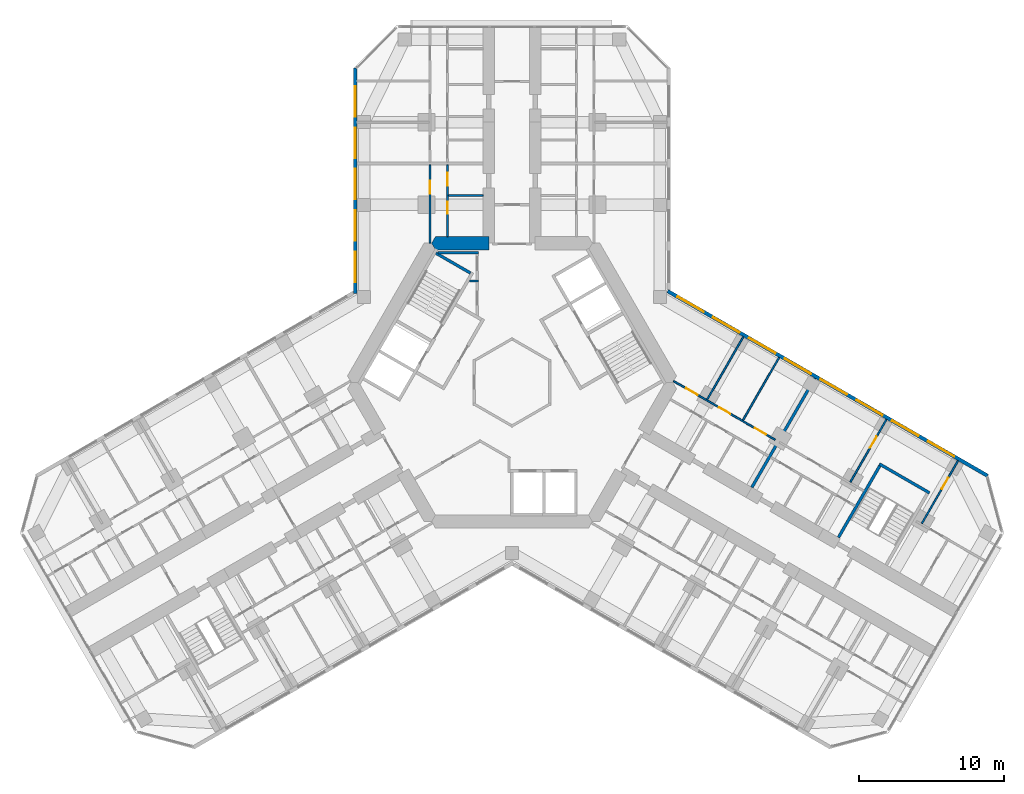
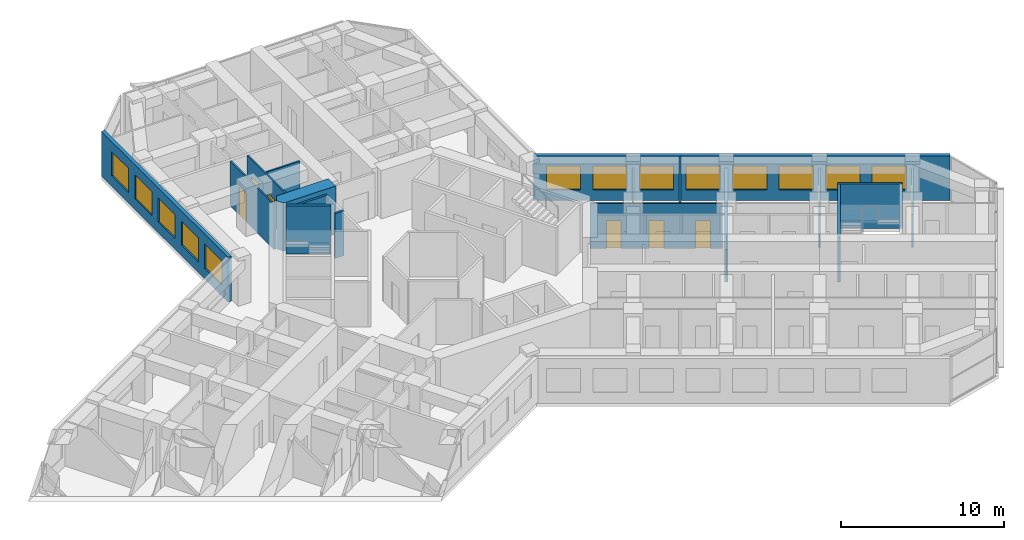
# One storey, part 16 of 19: 17 walls, 13 windows, 8 doors, 21 openings.
"""IFC4 building model written with IfcOpenShell, lengths in metres."""

from ifc_helpers import new_model, si_unit, direction, frame, frame_2d, origin, place, context, subcontext, project, spatial, polyline, rectangle, outline, extrude, material, layer, layer_set, type_object, element, fill, save


model = new_model("IFC4")

# Units and contexts
model_context = context("Model", 3, precision=1e-05, world=origin(), true_north=direction((0.0, 1.0)))
body_context = subcontext(model_context, "Body", "Model", "MODEL_VIEW")
ifc_project = project(units=[si_unit("LENGTHUNIT", "METRE"), si_unit("AREAUNIT", "SQUARE_METRE"), si_unit("VOLUMEUNIT", "CUBIC_METRE"), si_unit("PLANEANGLEUNIT", "RADIAN"), si_unit("MASSUNIT", "GRAM", prefix="KILO")], contexts=[model_context])

# Site, building, storey
site_placement = place(None, origin())
site = spatial("IfcSite", under=ifc_project, at=site_placement, CompositionType="ELEMENT")
building_placement = place(site_placement, origin())
building = spatial("IfcBuilding", under=site, at=building_placement, Name="Kosmar Iwan School Tower", CompositionType="ELEMENT")
storey_placement = place(building_placement, frame((0.0, 0.0, 168.800048828125)))
storey = spatial("IfcBuildingStorey", under=building, at=storey_placement, Name="L42", CompositionType="ELEMENT", Elevation=168.800048828125)

# Walls
ifc_material_1 = material(Name="Gypsum board on steel studs, fire-rated", Category="steel")
ifc_layer_1 = layer(ifc_material_1, 0.14990234375)
ifc_layer_set_1 = layer_set([ifc_layer_1], Name="Core room partition 150")
wall_type_1 = type_object("IfcWallType", Name="Core room partition 150", PredefinedType="PARTITIONING", material=ifc_layer_set_1)
wall_1_placement = place(storey_placement, frame((-2.324951171875, 6.985107421875, 0.0), z_axis=(0.0, 0.0, 1.0), x_axis=(-1.0, 0.0, 0.0)))
element("IfcWall", 1, at=wall_1_placement, inside=storey, type_object=wall_type_1, Name="Core room partition L42-CW2", PredefinedType="PARTITIONING", context=body_context, shape_type="SweptSolid", body=[
    extrude(rectangle(XDim=0.623779296875, YDim=0.14990234375, at=frame_2d((0.31201171875, 0.0))), origin(), (0.0, 0.0, 1.0), 3.349853515625),
])
wall_2_placement = place(storey_placement, frame((-5.089599609375, 8.93994140625, 0.0), z_axis=(0.0, 0.0, 1.0), x_axis=(1.0, 0.0, 0.0)))
element("IfcWall", 2, at=wall_2_placement, inside=storey, type_object=wall_type_1, Name="Core room partition L42-CW3", PredefinedType="PARTITIONING", context=body_context, shape_type="SweptSolid", body=[
    extrude(rectangle(XDim=2.7646484375, YDim=0.14990234375, at=frame_2d((1.38232421875, 0.0))), origin(), (0.0, 0.0, 1.0), 3.349853515625),
])
ifc_material_2 = material(Name="Concrete C50/60", Category="concrete")
ifc_layer_2 = layer(ifc_material_2, 0.89990234375)
ifc_layer_set_2 = layer_set([ifc_layer_2], Name="Core wall 900")
wall_type_2 = type_object("IfcWallType", Name="Core wall 900", PredefinedType="SHEAR", material=ifc_layer_set_2)
wall_3_placement = place(storey_placement, origin())
element("IfcWall", 3, at=wall_3_placement, inside=storey, type_object=wall_type_2, Name="Core wall F090b", PredefinedType="SHEAR", context=body_context, shape_type="SweptSolid", body=[
    extrude(outline(polyline([(-5.28271484375, 9.14990234375), (-1.60009765625, 9.14990234375), (-1.60009765625, 10.050048828125), (-5.28271484375, 10.050048828125), (-5.54248046875, 9.60009765625), (-5.28271484375, 9.14990234375)])), origin(), (0.0, 0.0, 1.0), 3.599853515625),
])

# Wall, openings, doors
ifc_material_3 = material(Name="Gypsum board on steel studs", Category="steel")
ifc_layer_3 = layer(ifc_material_3, 0.1201171875)
ifc_layer_set_3 = layer_set([ifc_layer_3], Name="Dwelling partition 120")
wall_type_3 = type_object("IfcWallType", Name="Dwelling partition 120", PredefinedType="PARTITIONING", material=ifc_layer_set_3)
wall_4_placement = place(storey_placement, frame((-4.449951171875, 10.050048828125, 0.0), z_axis=(0.0, 0.0, 1.0), x_axis=(0.0, 1.0, 0.0)))
wall_4 = element("IfcWall", 4, at=wall_4_placement, inside=storey, type_object=wall_type_3, Name="Partition L42-AL1-W1", PredefinedType="PARTITIONING", context=body_context, shape_type="SweptSolid", body=[
    extrude(rectangle(XDim=4.949951171875, YDim=0.1201171875, at=frame_2d((2.47509765625, 0.0))), origin(), (0.0, 0.0, 1.0), 3.349853515625),
])
opening_1_placement = place(wall_4_placement, frame((1.60009765625, 0.0, 0.0)))
opening_1 = element("IfcOpeningElement", 5, at=opening_1_placement, cuts=wall_4, Name="Opening D3", PredefinedType="OPENING", context=body_context, shape_type="SweptSolid", body=[
    extrude(rectangle(XDim=0.800048828125, YDim=2.10009765625, at=frame_2d((0.39990234375, 1.050048828125))), frame((0.0, 0.072021484375, 0.0), z_axis=(0.0, -1.0, 0.0), x_axis=(1.0, 0.0, 0.0)), (0.0, 0.0, 1.0), 0.14404296875),
])
opening_2_placement = place(wall_4_placement, frame((3.5, 0.0, 0.0)))
opening_2 = element("IfcOpeningElement", 6, at=opening_2_placement, cuts=wall_4, Name="Opening D2", PredefinedType="OPENING", context=body_context, shape_type="SweptSolid", body=[
    extrude(rectangle(XDim=0.89990234375, YDim=2.10009765625, at=frame_2d((0.449951171875, 1.050048828125))), frame((0.0, 0.072021484375, 0.0), z_axis=(0.0, -1.0, 0.0), x_axis=(1.0, 0.0, 0.0)), (0.0, 0.0, 1.0), 0.14404296875),
])
ifc_material_4 = material(Name="Timber door in timber frame", Category="wood")
door_type_1 = type_object("IfcDoorType", Name="Internal door 900x2100", OperationType="SINGLE_SWING_LEFT", PredefinedType="DOOR", material=ifc_material_4)
door_1_placement = place(opening_2_placement, origin())
door_1 = element("IfcDoor", 7, at=door_1_placement, inside=storey, type_object=door_type_1, Name="Entrance hall door L42-AL1-S2", OperationType="SINGLE_SWING_RIGHT", OverallHeight=2.10009765625, OverallWidth=0.89990234375, PredefinedType="DOOR", context=body_context, shape_type="SweptSolid", body=[
    extrude(rectangle(XDim=0.89990234375, YDim=2.10009765625, at=frame_2d((0.449951171875, 1.050048828125))), frame((0.0, 0.02490234375, 0.0), z_axis=(0.0, -1.0, 0.0), x_axis=(1.0, 0.0, 0.0)), (0.0, 0.0, 1.0), 0.050048828125),
])
fill(opening_2, door_1)
ifc_material_5 = material(Name="Timber door in timber frame", Category="wood")
door_type_2 = type_object("IfcDoorType", Name="Sanitary room door 800x2100", OperationType="SINGLE_SWING_LEFT", PredefinedType="DOOR", material=ifc_material_5)
door_2_placement = place(opening_1_placement, origin())
door_2 = element("IfcDoor", 8, at=door_2_placement, inside=storey, type_object=door_type_2, Name="Bathroom door L42-AL1-S1", OperationType="SINGLE_SWING_LEFT", OverallHeight=2.10009765625, OverallWidth=0.800048828125, PredefinedType="DOOR", context=body_context, shape_type="SweptSolid", body=[
    extrude(rectangle(XDim=0.800048828125, YDim=2.10009765625, at=frame_2d((0.39990234375, 1.050048828125))), frame((0.0, 0.02490234375, 0.0), z_axis=(0.0, -1.0, 0.0), x_axis=(1.0, 0.0, 0.0)), (0.0, 0.0, 1.0), 0.050048828125),
])
fill(opening_1, door_2)

# Wall, opening, door
wall_5_placement = place(storey_placement, frame((-5.64990234375, 9.60009765625, 0.0), z_axis=(0.0, 0.0, 1.0), x_axis=(0.0, 1.0, 0.0)))
wall_5 = element("IfcWall", 9, at=wall_5_placement, inside=storey, type_object=wall_type_3, Name="Partition L42-AL1-W2", PredefinedType="PARTITIONING", context=body_context, shape_type="SweptSolid", body=[
    extrude(rectangle(XDim=5.39990234375, YDim=0.1201171875, at=frame_2d((2.699951171875, 0.0))), origin(), (0.0, 0.0, 1.0), 3.349853515625),
])
opening_3_placement = place(wall_5_placement, frame((3.39990234375, 0.0, 0.0)))
opening_3 = element("IfcOpeningElement", 10, at=opening_3_placement, cuts=wall_5, Name="Opening D2", PredefinedType="OPENING", context=body_context, shape_type="SweptSolid", body=[
    extrude(rectangle(XDim=0.89990234375, YDim=2.10009765625, at=frame_2d((0.449951171875, 1.050048828125))), frame((0.0, 0.072021484375, 0.0), z_axis=(0.0, -1.0, 0.0), x_axis=(1.0, 0.0, 0.0)), (0.0, 0.0, 1.0), 0.14404296875),
])
door_3_placement = place(opening_3_placement, origin())
door_3 = element("IfcDoor", 11, at=door_3_placement, inside=storey, type_object=door_type_1, Name="Studio living room and kitchen door L42-AL1-F1", OperationType="SINGLE_SWING_RIGHT", OverallHeight=2.10009765625, OverallWidth=0.89990234375, PredefinedType="DOOR", context=body_context, shape_type="SweptSolid", body=[
    extrude(rectangle(XDim=0.89990234375, YDim=2.10009765625, at=frame_2d((0.449951171875, 1.050048828125))), frame((0.0, 0.02490234375, 0.0), z_axis=(0.0, -1.0, 0.0), x_axis=(1.0, 0.0, 0.0)), (0.0, 0.0, 1.0), 0.050048828125),
])
fill(opening_3, door_3)

# Wall
wall_6_placement = place(storey_placement, frame((-2.0, 12.89990234375, 0.0), z_axis=(0.0, 0.0, 1.0), x_axis=(-1.0, 0.0, 0.0)))
element("IfcWall", 12, at=wall_6_placement, inside=storey, type_object=wall_type_3, Name="Partition L42-AL1-Y1", PredefinedType="PARTITIONING", context=body_context, shape_type="SweptSolid", body=[
    extrude(rectangle(XDim=2.389892578125, YDim=0.1201171875, at=frame_2d((1.19482421875, 0.0))), origin(), (0.0, 0.0, 1.0), 3.349853515625),
])

# Wall, openings, doors
wall_7_placement = place(storey_placement, frame((11.138916015625, 0.093017578125, 0.0), z_axis=(0.0, 0.0, 1.0), x_axis=(0.866017937352, -0.500012932018, 0.0)))
wall_7 = element("IfcWall", 13, at=wall_7_placement, inside=storey, type_object=wall_type_3, Name="Partition L42-CL1-W2", PredefinedType="PARTITIONING", context=body_context, shape_type="SweptSolid", body=[
    extrude(rectangle(XDim=8.099853515625, YDim=0.1201171875, at=frame_2d((4.0498046875, 0.0))), origin(), (0.0, 0.0, 1.0), 3.349853515625),
])
opening_4_placement = place(wall_7_placement, frame((1.0, 0.0, 0.0)))
opening_4 = element("IfcOpeningElement", 14, at=opening_4_placement, cuts=wall_7, Name="Opening D2", PredefinedType="OPENING", context=body_context, shape_type="SweptSolid", body=[
    extrude(rectangle(XDim=0.89990234375, YDim=2.10009765625, at=frame_2d((0.449951171875, 1.050048828125))), frame((0.0, 0.072021484375, 0.0), z_axis=(0.0, -1.0, 0.0), x_axis=(1.0, 0.0, 0.0)), (0.0, 0.0, 1.0), 0.14404296875),
])
opening_5_placement = place(wall_7_placement, frame((3.625, 0.0, 0.0)))
opening_5 = element("IfcOpeningElement", 15, at=opening_5_placement, cuts=wall_7, Name="Opening D2", PredefinedType="OPENING", context=body_context, shape_type="SweptSolid", body=[
    extrude(rectangle(XDim=0.89990234375, YDim=2.10009765625, at=frame_2d((0.449951171875, 1.050048828125))), frame((0.0, 0.072021484375, 0.0), z_axis=(0.0, -1.0, 0.0), x_axis=(1.0, 0.0, 0.0)), (0.0, 0.0, 1.0), 0.14404296875),
])
opening_6_placement = place(wall_7_placement, frame((6.47509765625, 0.0, 0.0)))
opening_6 = element("IfcOpeningElement", 16, at=opening_6_placement, cuts=wall_7, Name="Opening D2", PredefinedType="OPENING", context=body_context, shape_type="SweptSolid", body=[
    extrude(rectangle(XDim=0.89990234375, YDim=2.10009765625, at=frame_2d((0.449951171875, 1.050048828125))), frame((0.0, 0.072021484375, 0.0), z_axis=(0.0, -1.0, 0.0), x_axis=(1.0, 0.0, 0.0)), (0.0, 0.0, 1.0), 0.14404296875),
])
door_4_placement = place(opening_4_placement, origin())
door_4 = element("IfcDoor", 17, at=door_4_placement, inside=storey, type_object=door_type_1, Name="Family room and kitchen door L42-CL1-F1", OperationType="SINGLE_SWING_LEFT", OverallHeight=2.10009765625, OverallWidth=0.89990234375, PredefinedType="DOOR", context=body_context, shape_type="SweptSolid", body=[
    extrude(rectangle(XDim=0.89990234375, YDim=2.10009765625, at=frame_2d((0.449951171875, 1.050048828125))), frame((0.0, 0.02490234375, 0.0), z_axis=(0.0, -1.0, 0.0), x_axis=(1.0, 0.0, 0.0)), (0.0, 0.0, 1.0), 0.050048828125),
])
fill(opening_4, door_4)
door_5_placement = place(opening_5_placement, origin())
door_5 = element("IfcDoor", 18, at=door_5_placement, inside=storey, type_object=door_type_1, Name="Study door L42-CL1-F2", OperationType="SINGLE_SWING_RIGHT", OverallHeight=2.10009765625, OverallWidth=0.89990234375, PredefinedType="DOOR", context=body_context, shape_type="SweptSolid", body=[
    extrude(rectangle(XDim=0.89990234375, YDim=2.10009765625, at=frame_2d((0.449951171875, 1.050048828125))), frame((0.0, 0.02490234375, 0.0), z_axis=(0.0, -1.0, 0.0), x_axis=(1.0, 0.0, 0.0)), (0.0, 0.0, 1.0), 0.050048828125),
])
fill(opening_5, door_5)
door_6_placement = place(opening_6_placement, origin())
door_6 = element("IfcDoor", 19, at=door_6_placement, inside=storey, type_object=door_type_1, Name="Bedroom 1 door L42-CL1-F3", OperationType="SINGLE_SWING_RIGHT", OverallHeight=2.10009765625, OverallWidth=0.89990234375, PredefinedType="DOOR", context=body_context, shape_type="SweptSolid", body=[
    extrude(rectangle(XDim=0.89990234375, YDim=2.10009765625, at=frame_2d((0.449951171875, 1.050048828125))), frame((0.0, 0.02490234375, 0.0), z_axis=(0.0, -1.0, 0.0), x_axis=(1.0, 0.0, 0.0)), (0.0, 0.0, 1.0), 0.050048828125),
])
fill(opening_6, door_6)

# Walls
wall_8_placement = place(storey_placement, frame((13.4638671875, -1.179931640625, 0.0), z_axis=(0.0, 0.0, 1.0), x_axis=(0.499975153383, 0.86603974851, 0.0)))
element("IfcWall", 20, at=wall_8_placement, inside=storey, type_object=wall_type_3, Name="Partition L42-CL1-X1", PredefinedType="PARTITIONING", context=body_context, shape_type="SweptSolid", body=[
    extrude(rectangle(XDim=4.989990234375, YDim=0.1201171875, at=frame_2d((2.4951171875, 0.0))), origin(), (0.0, 0.0, 1.0), 2.449951171875),
])
wall_9_placement = place(storey_placement, frame((15.931884765625, -2.60498046875, 0.0), z_axis=(0.0, 0.0, 1.0), x_axis=(0.500011847778, 0.866018563358, 0.0)))
element("IfcWall", 21, at=wall_9_placement, inside=storey, type_object=wall_type_3, Name="Partition L42-CL1-X2", PredefinedType="PARTITIONING", context=body_context, shape_type="SweptSolid", body=[
    extrude(rectangle(XDim=4.990234375, YDim=0.1201171875, at=frame_2d((2.4951171875, 0.0))), origin(), (0.0, 0.0, 1.0), 3.349853515625),
])

# Wall, opening, door
wall_10_placement = place(storey_placement, frame((23.33642578125, -6.8798828125, 0.0), z_axis=(0.0, 0.0, 1.0), x_axis=(0.500033033937, 0.866006330792, 0.0)))
wall_10 = element("IfcWall", 22, at=wall_10_placement, inside=storey, type_object=wall_type_3, Name="Partition L42-CL2-TB", PredefinedType="PARTITIONING", context=body_context, shape_type="SweptSolid", body=[
    extrude(rectangle(XDim=4.989990234375, YDim=0.1201171875, at=frame_2d((2.4951171875, 0.0))), origin(), (0.0, 0.0, 1.0), 2.449951171875),
])
opening_7_placement = place(wall_10_placement, frame((2.739990234375, 0.0, 0.0)))
opening_7 = element("IfcOpeningElement", 23, at=opening_7_placement, cuts=wall_10, Name="Opening D2", PredefinedType="OPENING", context=body_context, shape_type="SweptSolid", body=[
    extrude(rectangle(XDim=0.89990234375, YDim=2.10009765625, at=frame_2d((0.449951171875, 1.050048828125))), frame((0.0, 0.072021484375, 0.0), z_axis=(0.0, -1.0, 0.0), x_axis=(1.0, 0.0, 0.0)), (0.0, 0.0, 1.0), 0.14404296875),
])
door_7_placement = place(opening_7_placement, origin())
door_7 = element("IfcDoor", 24, at=door_7_placement, inside=storey, type_object=door_type_1, Name="Study door L42-CL2-F1", OperationType="SINGLE_SWING_RIGHT", OverallHeight=2.10009765625, OverallWidth=0.89990234375, PredefinedType="DOOR", context=body_context, shape_type="SweptSolid", body=[
    extrude(rectangle(XDim=0.89990234375, YDim=2.10009765625, at=frame_2d((0.449951171875, 1.050048828125))), frame((0.0, 0.02490234375, 0.0), z_axis=(0.0, -1.0, 0.0), x_axis=(1.0, 0.0, 0.0)), (0.0, 0.0, 1.0), 0.050048828125),
])
fill(opening_7, door_7)

wall_11_placement = place(storey_placement, frame((28.27294921875, -9.72998046875, 0.0), z_axis=(0.0, 0.0, 1.0), x_axis=(0.499975153383, 0.86603974851, 0.0)))
wall_11 = element("IfcWall", 25, at=wall_11_placement, inside=storey, type_object=wall_type_3, Name="Partition L42-CL2-TX", PredefinedType="PARTITIONING", context=body_context, shape_type="SweptSolid", body=[
    extrude(rectangle(XDim=4.989990234375, YDim=0.1201171875, at=frame_2d((2.4951171875, 0.0))), origin(), (0.0, 0.0, 1.0), 2.449951171875),
])
opening_8_placement = place(wall_11_placement, frame((2.739990234375, 0.0, 0.0)))
opening_8 = element("IfcOpeningElement", 26, at=opening_8_placement, cuts=wall_11, Name="Opening D2", PredefinedType="OPENING", context=body_context, shape_type="SweptSolid", body=[
    extrude(rectangle(XDim=0.89990234375, YDim=2.10009765625, at=frame_2d((0.449951171875, 1.050048828125))), frame((0.0, 0.072021484375, 0.0), z_axis=(0.0, -1.0, 0.0), x_axis=(1.0, 0.0, 0.0)), (0.0, 0.0, 1.0), 0.14404296875),
])
door_8_placement = place(opening_8_placement, origin())
door_8 = element("IfcDoor", 27, at=door_8_placement, inside=storey, type_object=door_type_1, Name="Study door L42-CL2-T1", OperationType="SINGLE_SWING_RIGHT", OverallHeight=2.10009765625, OverallWidth=0.89990234375, PredefinedType="DOOR", context=body_context, shape_type="SweptSolid", body=[
    extrude(rectangle(XDim=0.89990234375, YDim=2.10009765625, at=frame_2d((0.449951171875, 1.050048828125))), frame((0.0, 0.02490234375, 0.0), z_axis=(0.0, -1.0, 0.0), x_axis=(1.0, 0.0, 0.0)), (0.0, 0.0, 1.0), 0.050048828125),
])
fill(opening_8, door_8)

# Walls
ifc_material_6 = material(Name="Concrete C35/45", Category="concrete")
ifc_layer_4 = layer(ifc_material_6, 0.199951171875)
ifc_layer_set_4 = layer_set([ifc_layer_4], Name="Escape stair wall 200")
wall_type_4 = type_object("IfcWallType", Name="Escape stair wall 200", PredefinedType="SHEAR", material=ifc_layer_set_4)
wall_12_placement = place(storey_placement, frame((22.520751953125, -10.69287109375, 0.0), z_axis=(0.0, 0.0, 1.0), x_axis=(0.500006628179, 0.86602157697, 0.0)))
element("IfcWall", 28, at=wall_12_placement, inside=storey, type_object=wall_type_4, Name="Stair WS3 wall", PredefinedType="SHEAR", context=body_context, shape_type="SweptSolid", body=[
    extrude(rectangle(XDim=5.89990234375, YDim=0.199951171875, at=frame_2d((2.949951171875, 0.0))), origin(), (0.0, 0.0, 1.0), 3.329833984375),
])
wall_13_placement = place(storey_placement, frame((25.334228515625, -5.6201171875, 0.0), z_axis=(0.0, 0.0, 1.0), x_axis=(0.866026010844, -0.49999894854, 0.0)))
element("IfcWall", 29, at=wall_13_placement, inside=storey, type_object=wall_type_4, Name="Stair WS3 wall", PredefinedType="SHEAR", context=body_context, shape_type="SweptSolid", body=[
    extrude(rectangle(XDim=4.0, YDim=0.199951171875, at=frame_2d((2.0, 0.0))), origin(), (0.0, 0.0, 1.0), 3.329833984375),
])

# Wall, openings, windows
ifc_material_7 = material(Name="Black aluminium rainscreen on insulated framing", Category="aluminium")
ifc_layer_5 = layer(ifc_material_7, 0.25)
ifc_layer_set_5 = layer_set([ifc_layer_5], Name="External wall rainscreen 250")
wall_type_5 = type_object("IfcWallType", Name="External wall rainscreen 250", PredefinedType="SOLIDWALL", material=ifc_layer_set_5)
wall_14_placement = place(storey_placement, frame((10.73681640625, 6.30078125, 0.0), z_axis=(0.0, 0.0, 1.0), x_axis=(0.866026390279, -0.499998291337, 0.0)))
wall_14 = element("IfcWall", 30, at=wall_14_placement, inside=storey, type_object=wall_type_5, Name="External wall CL L42", PredefinedType="SOLIDWALL", context=body_context, shape_type="SweptSolid", body=[
    extrude(rectangle(XDim=25.4873046875, YDim=0.25, at=frame_2d((12.74365234375, 0.0))), origin(), (0.0, 0.0, 1.0), 3.349853515625),
])
opening_9_placement = place(wall_14_placement, frame((0.777099609375, 0.0, 0.800048828125)))
opening_9 = element("IfcOpeningElement", 31, at=opening_9_placement, cuts=wall_14, Name="Opening W4", PredefinedType="OPENING", context=body_context, shape_type="SweptSolid", body=[
    extrude(rectangle(XDim=2.10009765625, YDim=1.800048828125, at=frame_2d((1.050048828125, 0.89990234375))), frame((0.0, 0.136962890625, 0.0), z_axis=(0.0, -1.0, 0.0), x_axis=(1.0, 0.0, 0.0)), (0.0, 0.0, 1.0), 0.27392578125),
])
opening_10_placement = place(wall_14_placement, frame((3.626953125, 0.0, 0.800048828125)))
opening_10 = element("IfcOpeningElement", 32, at=opening_10_placement, cuts=wall_14, Name="Opening W4", PredefinedType="OPENING", context=body_context, shape_type="SweptSolid", body=[
    extrude(rectangle(XDim=2.10009765625, YDim=1.800048828125, at=frame_2d((1.050048828125, 0.89990234375))), frame((0.0, 0.136962890625, 0.0), z_axis=(0.0, -1.0, 0.0), x_axis=(1.0, 0.0, 0.0)), (0.0, 0.0, 1.0), 0.27392578125),
])
opening_11_placement = place(wall_14_placement, frame((6.47705078125, 0.0, 0.800048828125)))
opening_11 = element("IfcOpeningElement", 33, at=opening_11_placement, cuts=wall_14, Name="Opening W4", PredefinedType="OPENING", context=body_context, shape_type="SweptSolid", body=[
    extrude(rectangle(XDim=2.10009765625, YDim=1.800048828125, at=frame_2d((1.050048828125, 0.89990234375))), frame((0.0, 0.136962890625, 0.0), z_axis=(0.0, -1.0, 0.0), x_axis=(1.0, 0.0, 0.0)), (0.0, 0.0, 1.0), 0.27392578125),
])
opening_12_placement = place(wall_14_placement, frame((9.326904296875, 0.0, 0.800048828125)))
opening_12 = element("IfcOpeningElement", 34, at=opening_12_placement, cuts=wall_14, Name="Opening W4", PredefinedType="OPENING", context=body_context, shape_type="SweptSolid", body=[
    extrude(rectangle(XDim=2.10009765625, YDim=1.800048828125, at=frame_2d((1.050048828125, 0.89990234375))), frame((0.0, 0.136962890625, 0.0), z_axis=(0.0, -1.0, 0.0), x_axis=(1.0, 0.0, 0.0)), (0.0, 0.0, 1.0), 0.27392578125),
])
opening_13_placement = place(wall_14_placement, frame((12.177001953125, 0.0, 0.800048828125)))
opening_13 = element("IfcOpeningElement", 35, at=opening_13_placement, cuts=wall_14, Name="Opening W4", PredefinedType="OPENING", context=body_context, shape_type="SweptSolid", body=[
    extrude(rectangle(XDim=2.10009765625, YDim=1.800048828125, at=frame_2d((1.050048828125, 0.89990234375))), frame((0.0, 0.136962890625, 0.0), z_axis=(0.0, -1.0, 0.0), x_axis=(1.0, 0.0, 0.0)), (0.0, 0.0, 1.0), 0.27392578125),
])
opening_14_placement = place(wall_14_placement, frame((15.027099609375, 0.0, 0.800048828125)))
opening_14 = element("IfcOpeningElement", 36, at=opening_14_placement, cuts=wall_14, Name="Opening W4", PredefinedType="OPENING", context=body_context, shape_type="SweptSolid", body=[
    extrude(rectangle(XDim=2.10009765625, YDim=1.800048828125, at=frame_2d((1.050048828125, 0.89990234375))), frame((0.0, 0.136962890625, 0.0), z_axis=(0.0, -1.0, 0.0), x_axis=(1.0, 0.0, 0.0)), (0.0, 0.0, 1.0), 0.27392578125),
])
opening_15_placement = place(wall_14_placement, frame((17.876953125, 0.0, 0.800048828125)))
opening_15 = element("IfcOpeningElement", 37, at=opening_15_placement, cuts=wall_14, Name="Opening W4", PredefinedType="OPENING", context=body_context, shape_type="SweptSolid", body=[
    extrude(rectangle(XDim=2.10009765625, YDim=1.800048828125, at=frame_2d((1.050048828125, 0.89990234375))), frame((0.0, 0.136962890625, 0.0), z_axis=(0.0, -1.0, 0.0), x_axis=(1.0, 0.0, 0.0)), (0.0, 0.0, 1.0), 0.27392578125),
])
opening_16_placement = place(wall_14_placement, frame((20.72705078125, 0.0, 0.800048828125)))
opening_16 = element("IfcOpeningElement", 38, at=opening_16_placement, cuts=wall_14, Name="Opening W4", PredefinedType="OPENING", context=body_context, shape_type="SweptSolid", body=[
    extrude(rectangle(XDim=2.10009765625, YDim=1.800048828125, at=frame_2d((1.050048828125, 0.89990234375))), frame((0.0, 0.136962890625, 0.0), z_axis=(0.0, -1.0, 0.0), x_axis=(1.0, 0.0, 0.0)), (0.0, 0.0, 1.0), 0.27392578125),
])
ifc_material_8 = material(Name="Black aluminium frame with dark triple glazing", Category="aluminium")
window_type = type_object("IfcWindowType", Name="Window 2100x1800", PartitioningType="SINGLE_PANEL", PredefinedType="WINDOW", material=ifc_material_8)
window_1_placement = place(opening_9_placement, origin())
window_1 = element("IfcWindow", 39, at=window_1_placement, inside=storey, type_object=window_type, Name="Window CL L42 -1", OverallHeight=1.800048828125, OverallWidth=2.10009765625, PartitioningType="SINGLE_PANEL", PredefinedType="WINDOW", context=body_context, shape_type="SweptSolid", body=[
    extrude(rectangle(XDim=2.10009765625, YDim=1.800048828125, at=frame_2d((1.050048828125, 0.89990234375))), frame((0.0, 0.030029296875, 0.0), z_axis=(0.0, -1.0, 0.0), x_axis=(1.0, 0.0, 0.0)), (0.0, 0.0, 1.0), 0.06005859375),
])
fill(opening_9, window_1)
window_2_placement = place(opening_10_placement, origin())
window_2 = element("IfcWindow", 40, at=window_2_placement, inside=storey, type_object=window_type, Name="Window CL L42 0", OverallHeight=1.800048828125, OverallWidth=2.10009765625, PartitioningType="SINGLE_PANEL", PredefinedType="WINDOW", context=body_context, shape_type="SweptSolid", body=[
    extrude(rectangle(XDim=2.10009765625, YDim=1.800048828125, at=frame_2d((1.050048828125, 0.89990234375))), frame((0.0, 0.030029296875, 0.0), z_axis=(0.0, -1.0, 0.0), x_axis=(1.0, 0.0, 0.0)), (0.0, 0.0, 1.0), 0.06005859375),
])
fill(opening_10, window_2)
window_3_placement = place(opening_11_placement, origin())
window_3 = element("IfcWindow", 41, at=window_3_placement, inside=storey, type_object=window_type, Name="Window CL L42 1", OverallHeight=1.800048828125, OverallWidth=2.10009765625, PartitioningType="SINGLE_PANEL", PredefinedType="WINDOW", context=body_context, shape_type="SweptSolid", body=[
    extrude(rectangle(XDim=2.10009765625, YDim=1.800048828125, at=frame_2d((1.050048828125, 0.89990234375))), frame((0.0, 0.030029296875, 0.0), z_axis=(0.0, -1.0, 0.0), x_axis=(1.0, 0.0, 0.0)), (0.0, 0.0, 1.0), 0.06005859375),
])
fill(opening_11, window_3)
window_4_placement = place(opening_12_placement, origin())
window_4 = element("IfcWindow", 42, at=window_4_placement, inside=storey, type_object=window_type, Name="Window CL L42 2", OverallHeight=1.800048828125, OverallWidth=2.10009765625, PartitioningType="SINGLE_PANEL", PredefinedType="WINDOW", context=body_context, shape_type="SweptSolid", body=[
    extrude(rectangle(XDim=2.10009765625, YDim=1.800048828125, at=frame_2d((1.050048828125, 0.89990234375))), frame((0.0, 0.030029296875, 0.0), z_axis=(0.0, -1.0, 0.0), x_axis=(1.0, 0.0, 0.0)), (0.0, 0.0, 1.0), 0.06005859375),
])
fill(opening_12, window_4)
window_5_placement = place(opening_13_placement, origin())
window_5 = element("IfcWindow", 43, at=window_5_placement, inside=storey, type_object=window_type, Name="Window CL L42 3", OverallHeight=1.800048828125, OverallWidth=2.10009765625, PartitioningType="SINGLE_PANEL", PredefinedType="WINDOW", context=body_context, shape_type="SweptSolid", body=[
    extrude(rectangle(XDim=2.10009765625, YDim=1.800048828125, at=frame_2d((1.050048828125, 0.89990234375))), frame((0.0, 0.030029296875, 0.0), z_axis=(0.0, -1.0, 0.0), x_axis=(1.0, 0.0, 0.0)), (0.0, 0.0, 1.0), 0.06005859375),
])
fill(opening_13, window_5)
window_6_placement = place(opening_14_placement, origin())
window_6 = element("IfcWindow", 44, at=window_6_placement, inside=storey, type_object=window_type, Name="Window CL L42 4", OverallHeight=1.800048828125, OverallWidth=2.10009765625, PartitioningType="SINGLE_PANEL", PredefinedType="WINDOW", context=body_context, shape_type="SweptSolid", body=[
    extrude(rectangle(XDim=2.10009765625, YDim=1.800048828125, at=frame_2d((1.050048828125, 0.89990234375))), frame((0.0, 0.030029296875, 0.0), z_axis=(0.0, -1.0, 0.0), x_axis=(1.0, 0.0, 0.0)), (0.0, 0.0, 1.0), 0.06005859375),
])
fill(opening_14, window_6)
window_7_placement = place(opening_15_placement, origin())
window_7 = element("IfcWindow", 45, at=window_7_placement, inside=storey, type_object=window_type, Name="Window CL L42 5", OverallHeight=1.800048828125, OverallWidth=2.10009765625, PartitioningType="SINGLE_PANEL", PredefinedType="WINDOW", context=body_context, shape_type="SweptSolid", body=[
    extrude(rectangle(XDim=2.10009765625, YDim=1.800048828125, at=frame_2d((1.050048828125, 0.89990234375))), frame((0.0, 0.030029296875, 0.0), z_axis=(0.0, -1.0, 0.0), x_axis=(1.0, 0.0, 0.0)), (0.0, 0.0, 1.0), 0.06005859375),
])
fill(opening_15, window_7)
window_8_placement = place(opening_16_placement, origin())
window_8 = element("IfcWindow", 46, at=window_8_placement, inside=storey, type_object=window_type, Name="Window CL L42 6", OverallHeight=1.800048828125, OverallWidth=2.10009765625, PartitioningType="SINGLE_PANEL", PredefinedType="WINDOW", context=body_context, shape_type="SweptSolid", body=[
    extrude(rectangle(XDim=2.10009765625, YDim=1.800048828125, at=frame_2d((1.050048828125, 0.89990234375))), frame((0.0, 0.030029296875, 0.0), z_axis=(0.0, -1.0, 0.0), x_axis=(1.0, 0.0, 0.0)), (0.0, 0.0, 1.0), 0.06005859375),
])
fill(opening_16, window_8)

wall_15_placement = place(storey_placement, frame((-10.824951171875, 6.14794921875, 0.0), z_axis=(0.0, 0.0, 1.0), x_axis=(0.0, 1.0, 0.0)))
wall_15 = element("IfcWall", 47, at=wall_15_placement, inside=storey, type_object=wall_type_5, Name="External wall AL L42", PredefinedType="SOLIDWALL", context=body_context, shape_type="SweptSolid", body=[
    extrude(rectangle(XDim=15.537353515625, YDim=0.25, at=frame_2d((7.7685546875, 0.0))), origin(), (0.0, 0.0, 1.0), 3.349853515625),
])
opening_17_placement = place(wall_15_placement, frame((0.777099609375, 0.0, 0.800048828125)))
opening_17 = element("IfcOpeningElement", 48, at=opening_17_placement, cuts=wall_15, Name="Opening W4", PredefinedType="OPENING", context=body_context, shape_type="SweptSolid", body=[
    extrude(rectangle(XDim=2.10009765625, YDim=1.800048828125, at=frame_2d((1.050048828125, 0.89990234375))), frame((0.0, 0.136962890625, 0.0), z_axis=(0.0, -1.0, 0.0), x_axis=(1.0, 0.0, 0.0)), (0.0, 0.0, 1.0), 0.27392578125),
])
opening_18_placement = place(wall_15_placement, frame((3.626953125, 0.0, 0.800048828125)))
opening_18 = element("IfcOpeningElement", 49, at=opening_18_placement, cuts=wall_15, Name="Opening W4", PredefinedType="OPENING", context=body_context, shape_type="SweptSolid", body=[
    extrude(rectangle(XDim=2.10009765625, YDim=1.800048828125, at=frame_2d((1.050048828125, 0.89990234375))), frame((0.0, 0.136962890625, 0.0), z_axis=(0.0, -1.0, 0.0), x_axis=(1.0, 0.0, 0.0)), (0.0, 0.0, 1.0), 0.27392578125),
])
opening_19_placement = place(wall_15_placement, frame((6.47705078125, 0.0, 0.800048828125)))
opening_19 = element("IfcOpeningElement", 50, at=opening_19_placement, cuts=wall_15, Name="Opening W4", PredefinedType="OPENING", context=body_context, shape_type="SweptSolid", body=[
    extrude(rectangle(XDim=2.10009765625, YDim=1.800048828125, at=frame_2d((1.050048828125, 0.89990234375))), frame((0.0, 0.136962890625, 0.0), z_axis=(0.0, -1.0, 0.0), x_axis=(1.0, 0.0, 0.0)), (0.0, 0.0, 1.0), 0.27392578125),
])
opening_20_placement = place(wall_15_placement, frame((9.326904296875, 0.0, 0.800048828125)))
opening_20 = element("IfcOpeningElement", 51, at=opening_20_placement, cuts=wall_15, Name="Opening W4", PredefinedType="OPENING", context=body_context, shape_type="SweptSolid", body=[
    extrude(rectangle(XDim=2.10009765625, YDim=1.800048828125, at=frame_2d((1.050048828125, 0.89990234375))), frame((0.0, 0.136962890625, 0.0), z_axis=(0.0, -1.0, 0.0), x_axis=(1.0, 0.0, 0.0)), (0.0, 0.0, 1.0), 0.27392578125),
])
opening_21_placement = place(wall_15_placement, frame((12.177001953125, 0.0, 0.800048828125)))
opening_21 = element("IfcOpeningElement", 52, at=opening_21_placement, cuts=wall_15, Name="Opening W4", PredefinedType="OPENING", context=body_context, shape_type="SweptSolid", body=[
    extrude(rectangle(XDim=2.10009765625, YDim=1.800048828125, at=frame_2d((1.050048828125, 0.89990234375))), frame((0.0, 0.136962890625, 0.0), z_axis=(0.0, -1.0, 0.0), x_axis=(1.0, 0.0, 0.0)), (0.0, 0.0, 1.0), 0.27392578125),
])
window_9_placement = place(opening_17_placement, origin())
window_9 = element("IfcWindow", 53, at=window_9_placement, inside=storey, type_object=window_type, Name="Window AL L42 -1", OverallHeight=1.800048828125, OverallWidth=2.10009765625, PartitioningType="SINGLE_PANEL", PredefinedType="WINDOW", context=body_context, shape_type="SweptSolid", body=[
    extrude(rectangle(XDim=2.10009765625, YDim=1.800048828125, at=frame_2d((1.050048828125, 0.89990234375))), frame((0.0, 0.030029296875, 0.0), z_axis=(0.0, -1.0, 0.0), x_axis=(1.0, 0.0, 0.0)), (0.0, 0.0, 1.0), 0.06005859375),
])
fill(opening_17, window_9)
window_10_placement = place(opening_18_placement, origin())
window_10 = element("IfcWindow", 54, at=window_10_placement, inside=storey, type_object=window_type, Name="Window AL L42 0", OverallHeight=1.800048828125, OverallWidth=2.10009765625, PartitioningType="SINGLE_PANEL", PredefinedType="WINDOW", context=body_context, shape_type="SweptSolid", body=[
    extrude(rectangle(XDim=2.10009765625, YDim=1.800048828125, at=frame_2d((1.050048828125, 0.89990234375))), frame((0.0, 0.030029296875, 0.0), z_axis=(0.0, -1.0, 0.0), x_axis=(1.0, 0.0, 0.0)), (0.0, 0.0, 1.0), 0.06005859375),
])
fill(opening_18, window_10)
window_11_placement = place(opening_19_placement, origin())
window_11 = element("IfcWindow", 55, at=window_11_placement, inside=storey, type_object=window_type, Name="Window AL L42 1", OverallHeight=1.800048828125, OverallWidth=2.10009765625, PartitioningType="SINGLE_PANEL", PredefinedType="WINDOW", context=body_context, shape_type="SweptSolid", body=[
    extrude(rectangle(XDim=2.10009765625, YDim=1.800048828125, at=frame_2d((1.050048828125, 0.89990234375))), frame((0.0, 0.030029296875, 0.0), z_axis=(0.0, -1.0, 0.0), x_axis=(1.0, 0.0, 0.0)), (0.0, 0.0, 1.0), 0.06005859375),
])
fill(opening_19, window_11)
window_12_placement = place(opening_20_placement, origin())
window_12 = element("IfcWindow", 56, at=window_12_placement, inside=storey, type_object=window_type, Name="Window AL L42 2", OverallHeight=1.800048828125, OverallWidth=2.10009765625, PartitioningType="SINGLE_PANEL", PredefinedType="WINDOW", context=body_context, shape_type="SweptSolid", body=[
    extrude(rectangle(XDim=2.10009765625, YDim=1.800048828125, at=frame_2d((1.050048828125, 0.89990234375))), frame((0.0, 0.030029296875, 0.0), z_axis=(0.0, -1.0, 0.0), x_axis=(1.0, 0.0, 0.0)), (0.0, 0.0, 1.0), 0.06005859375),
])
fill(opening_20, window_12)
window_13_placement = place(opening_21_placement, origin())
window_13 = element("IfcWindow", 57, at=window_13_placement, inside=storey, type_object=window_type, Name="Window AL L42 3", OverallHeight=1.800048828125, OverallWidth=2.10009765625, PartitioningType="SINGLE_PANEL", PredefinedType="WINDOW", context=body_context, shape_type="SweptSolid", body=[
    extrude(rectangle(XDim=2.10009765625, YDim=1.800048828125, at=frame_2d((1.050048828125, 0.89990234375))), frame((0.0, 0.030029296875, 0.0), z_axis=(0.0, -1.0, 0.0), x_axis=(1.0, 0.0, 0.0)), (0.0, 0.0, 1.0), 0.06005859375),
])
fill(opening_21, window_13)

# Walls
ifc_material_9 = material(Name="Concrete block masonry", Category="masonry")
ifc_layer_6 = layer(ifc_material_9, 0.199951171875)
ifc_layer_set_6 = layer_set([ifc_layer_6], Name="Party wall 200")
wall_type_6 = type_object("IfcWallType", Name="Party wall 200", PredefinedType="PARTITIONING", material=ifc_layer_set_6)
wall_16_placement = place(storey_placement, frame((16.545166015625, -7.242919921875, 0.0), z_axis=(0.0, 0.0, 1.0), x_axis=(0.500008278454, 0.866020624164, 0.0)))
element("IfcWall", 58, at=wall_16_placement, inside=storey, type_object=wall_type_6, Name="Partition L42-CL2-PW", PredefinedType="PARTITIONING", context=body_context, shape_type="SweptSolid", body=[
    extrude(rectangle(XDim=8.699951171875, YDim=0.199951171875, at=frame_2d((4.35009765625, 0.0))), origin(), (0.0, 0.0, 1.0), 2.449951171875),
])
ifc_material_10 = material(Name="Concrete C50/60", Category="concrete")
ifc_layer_7 = layer(ifc_material_10, 0.199951171875)
ifc_layer_set_7 = layer_set([ifc_layer_7], Name="Stair enclosure wall 200")
wall_type_7 = type_object("IfcWallType", Name="Stair enclosure wall 200", PredefinedType="SHEAR", material=ifc_layer_set_7)
wall_17_placement = place(storey_placement, frame((-2.862548828125, 7.541748046875, 0.0), z_axis=(0.0, 0.0, 1.0), x_axis=(-0.866027397988, 0.499996545922, 0.0)))
element("IfcWall", 59, at=wall_17_placement, inside=storey, type_object=wall_type_7, Name="Stair ST2 wall", PredefinedType="SHEAR", context=body_context, shape_type="SweptSolid", body=[
    extrude(rectangle(XDim=2.75, YDim=0.199951171875, at=frame_2d((1.375, 0.0))), origin(), (0.0, 0.0, 1.0), 3.599853515625),
])

save(model, "model.ifc")
